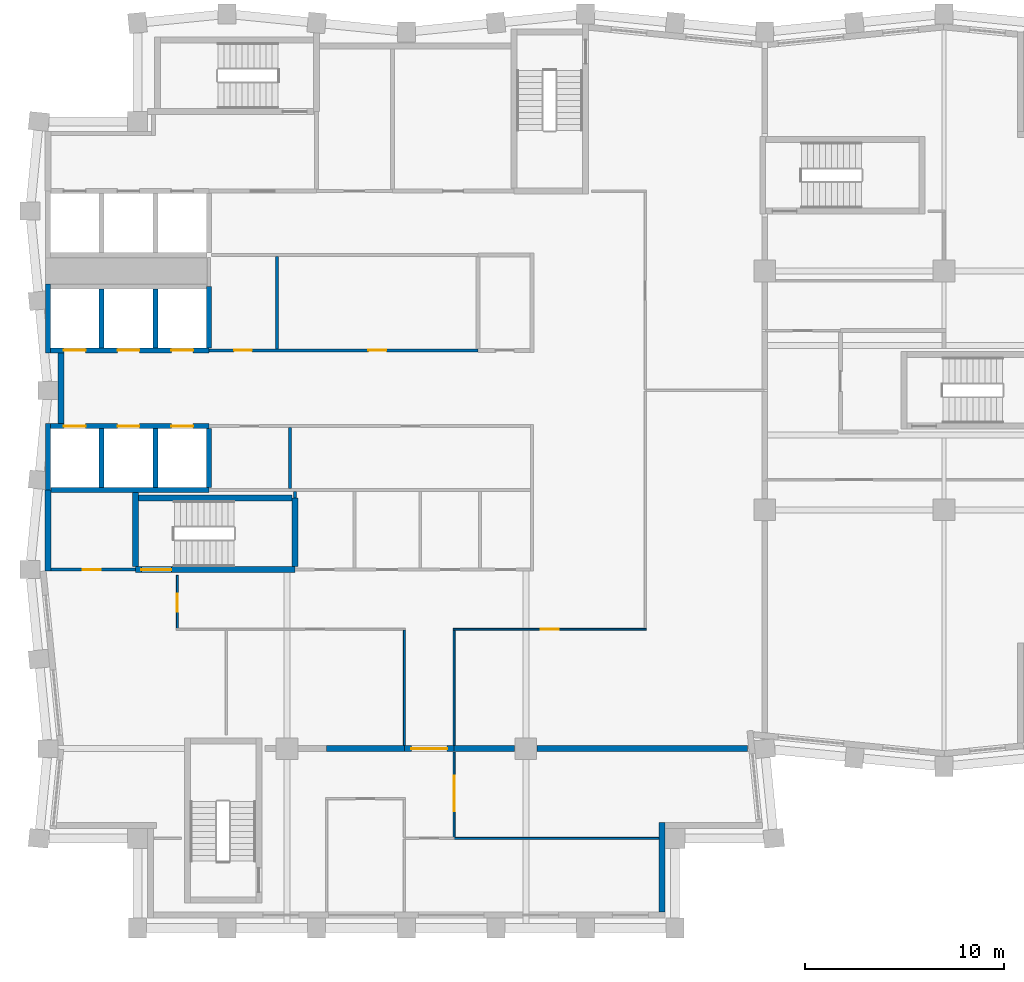
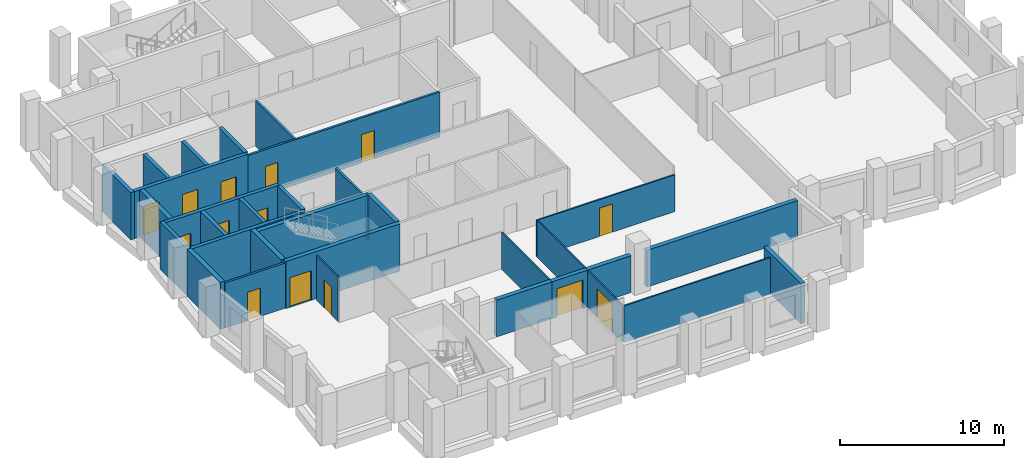
# One storey, part 3 of 8: 33 walls, 14 doors, 14 openings.
"""IFC4 building model written with IfcOpenShell, lengths in metres."""

from ifc_helpers import new_model, si_unit, direction, frame, frame_2d, origin, place, context, subcontext, project, spatial, rectangle, extrude, material, layer, layer_set, type_object, element, fill, save


model = new_model("IFC4")

# Units and contexts
model_context = context("Model", 3, precision=1e-05, world=origin(), true_north=direction((0.0, 1.0)))
body_context = subcontext(model_context, "Body", "Model", "MODEL_VIEW")
ifc_project = project(units=[si_unit("LENGTHUNIT", "METRE"), si_unit("AREAUNIT", "SQUARE_METRE"), si_unit("VOLUMEUNIT", "CUBIC_METRE"), si_unit("PLANEANGLEUNIT", "RADIAN"), si_unit("MASSUNIT", "GRAM", prefix="KILO")], contexts=[model_context])

# Site, building, storey
site_placement = place(None, origin())
site = spatial("IfcSite", under=ifc_project, at=site_placement, CompositionType="ELEMENT")
building_placement = place(site_placement, origin())
building = spatial("IfcBuilding", under=site, at=building_placement, Name="Brondeck Convention Tower", CompositionType="ELEMENT")
storey_placement = place(building_placement, frame((0.0, 0.0, 244.39990234375)))
storey = spatial("IfcBuildingStorey", under=building, at=storey_placement, Name="L60", CompositionType="ELEMENT", Elevation=244.39990234375)

# Wall
ifc_material_1 = material(Name="Concrete compartment wall C30/37", Category="concrete")
ifc_layer_1 = layer(ifc_material_1, 0.300048828125)
ifc_layer_set_1 = layer_set([ifc_layer_1], Name="Compartment wall 300")
wall_type_1 = type_object("IfcWallType", Name="Compartment wall 300", PredefinedType="PARTITIONING", material=ifc_layer_set_1)
wall_1_placement = place(storey_placement, frame((14.0, 27.0, 0.0), z_axis=(0.0, 0.0, 1.0), x_axis=(1.0, 0.0, 0.0)))
element("IfcWall", 1, at=wall_1_placement, inside=storey, type_object=wall_type_1, Name="FLR-L60-W015", PredefinedType="PARTITIONING", context=body_context, shape_type="SweptSolid", body=[
    extrude(rectangle(XDim=3.89990234375, YDim=0.300048828125, at=frame_2d((1.949951171875, 0.0))), origin(), (0.0, 0.0, 1.0), 2.72998046875),
])

# Wall, opening, door
wall_2_placement = place(storey_placement, frame((20.39990234375, 27.0, 0.0), z_axis=(0.0, 0.0, 1.0), x_axis=(-1.0, 0.0, 0.0)))
wall_2 = element("IfcWall", 2, at=wall_2_placement, inside=storey, type_object=wall_type_1, Name="FLR-L60-W016", PredefinedType="PARTITIONING", context=body_context, shape_type="SweptSolid", body=[
    extrude(rectangle(XDim=2.5, YDim=0.300048828125, at=frame_2d((1.25, 0.0))), origin(), (0.0, 0.0, 1.0), 2.72998046875),
])
opening_1_placement = place(wall_2_placement, frame((0.35009765625, 0.0, 0.0)))
opening_1 = element("IfcOpeningElement", 3, at=opening_1_placement, cuts=wall_2, Name="Opening OF-O-012", PredefinedType="OPENING", context=body_context, shape_type="SweptSolid", body=[
    extrude(rectangle(XDim=1.800048828125, YDim=2.10009765625, at=frame_2d((0.89990234375, 1.050048828125))), frame((0.0, 0.159912109375, 0.0), z_axis=(0.0, -1.0, 0.0), x_axis=(1.0, 0.0, 0.0)), (0.0, 0.0, 1.0), 0.320068359375),
])
ifc_material_2 = material(Name="Steel fire door pair", Category="steel")
door_type_1 = type_object("IfcDoorType", Name="Fire door pair 1800", OperationType="DOUBLE_DOOR_SINGLE_SWING", PredefinedType="DOOR", material=ifc_material_2)
door_1_placement = place(opening_1_placement, origin())
door_1 = element("IfcDoor", 4, at=door_1_placement, inside=storey, type_object=door_type_1, Name="Door OF-O-012", OperationType="DOUBLE_DOOR_SINGLE_SWING", OverallHeight=2.10009765625, OverallWidth=1.800048828125, PredefinedType="DOOR", context=body_context, shape_type="SweptSolid", body=[
    extrude(rectangle(XDim=1.800048828125, YDim=2.10009765625, at=frame_2d((0.89990234375, 1.050048828125))), frame((0.0, 0.02490234375, 0.0), z_axis=(0.0, -1.0, 0.0), x_axis=(1.0, 0.0, 0.0)), (0.0, 0.0, 1.0), 0.050048828125),
])
fill(opening_1, door_1)

# Walls
wall_3_placement = place(storey_placement, frame((20.39990234375, 27.0, 0.0), z_axis=(0.0, 0.0, 1.0), x_axis=(1.0, 0.0, 0.0)))
element("IfcWall", 5, at=wall_3_placement, inside=storey, type_object=wall_type_1, Name="FLR-L60-W017", PredefinedType="PARTITIONING", context=body_context, shape_type="SweptSolid", body=[
    extrude(rectangle(XDim=3.045166015625, YDim=0.300048828125, at=frame_2d((1.5224609375, 0.0))), origin(), (0.0, 0.0, 1.0), 2.72998046875),
])
wall_4_placement = place(storey_placement, frame((24.554931640625, 27.0, 0.0), z_axis=(0.0, 0.0, 1.0), x_axis=(1.0, 0.0, 0.0)))
element("IfcWall", 6, at=wall_4_placement, inside=storey, type_object=wall_type_1, Name="FLR-L60-W018", PredefinedType="PARTITIONING", context=body_context, shape_type="SweptSolid", body=[
    extrude(rectangle(XDim=10.591064453125, YDim=0.300048828125, at=frame_2d((5.29541015625, 0.0))), origin(), (0.0, 0.0, 1.0), 2.72998046875),
])
ifc_material_3 = material(Name="Concrete C50/60", Category="concrete")
ifc_layer_2 = layer(ifc_material_3, 0.300048828125)
ifc_layer_set_2 = layer_set([ifc_layer_2], Name="Core outer wall 300 Concrete C50/60")
wall_type_2 = type_object("IfcWallType", Name="Core outer wall 300 Concrete C50/60", PredefinedType="SHEAR", material=ifc_layer_set_2)
wall_5_placement = place(storey_placement, frame((0.0, 35.925048828125, 0.0), z_axis=(0.0, 0.0, 1.0), x_axis=(0.0, 1.0, 0.0)))
element("IfcWall", 7, at=wall_5_placement, inside=storey, type_object=wall_type_2, Name="L60 core wall", PredefinedType="SHEAR", context=body_context, shape_type="SweptSolid", body=[
    extrude(rectangle(XDim=4.074951171875, YDim=0.300048828125, at=frame_2d((2.03759765625, 0.0))), origin(), (0.0, 0.0, 1.0), 3.5),
])
wall_6_placement = place(storey_placement, frame((0.64990234375, 43.324951171875, 0.0), z_axis=(0.0, 0.0, 1.0), x_axis=(0.0, 1.0, 0.0)))
element("IfcWall", 8, at=wall_6_placement, inside=storey, type_object=wall_type_2, Name="L60 core wall", PredefinedType="SHEAR", context=body_context, shape_type="SweptSolid", body=[
    extrude(rectangle(XDim=3.550048828125, YDim=0.300048828125, at=frame_2d((1.77490234375, 0.0))), origin(), (0.0, 0.0, 1.0), 3.5),
])

# Wall, opening, door
ifc_material_4 = material(Name="Fire-rated gypsum board partition")
ifc_layer_3 = layer(ifc_material_4, 0.14990234375)
ifc_layer_set_3 = layer_set([ifc_layer_3], Name="Core partition 150 EI 60")
wall_type_3 = type_object("IfcWallType", Name="Core partition 150 EI 60", PredefinedType="PARTITIONING", material=ifc_layer_set_3)
wall_7_placement = place(storey_placement, frame((0.14990234375, 36.0, 0.0), z_axis=(0.0, 0.0, 1.0), x_axis=(1.0, 0.0, 0.0)))
wall_7 = element("IfcWall", 9, at=wall_7_placement, inside=storey, type_object=wall_type_3, Name="L60 core wall", PredefinedType="PARTITIONING", context=body_context, shape_type="SweptSolid", body=[
    extrude(rectangle(XDim=4.25, YDim=0.14990234375, at=frame_2d((2.125, 0.0))), origin(), (0.0, 0.0, 1.0), 3.35009765625),
])
opening_2_placement = place(wall_7_placement, frame((1.60009765625, 0.0, 0.0)))
opening_2 = element("IfcOpeningElement", 10, at=opening_2_placement, cuts=wall_7, Name="Opening C32-07", PredefinedType="OPENING", context=body_context, shape_type="SweptSolid", body=[
    extrude(rectangle(XDim=0.89990234375, YDim=2.10009765625, at=frame_2d((0.449951171875, 1.050048828125))), frame((0.0, 0.0849609375, 0.0), z_axis=(0.0, -1.0, 0.0), x_axis=(1.0, 0.0, 0.0)), (0.0, 0.0, 1.0), 0.169921875),
])
ifc_material_5 = material(Name="Steel fire door", Category="steel")
door_type_2 = type_object("IfcDoorType", Name="Room door 900x2100 EI 60", OperationType="NOTDEFINED", PredefinedType="DOOR", material=ifc_material_5)
door_2_placement = place(opening_2_placement, origin())
door_2 = element("IfcDoor", 11, at=door_2_placement, inside=storey, type_object=door_type_2, Name="L60 Room door FRW-1", OperationType="SINGLE_SWING_LEFT", OverallHeight=2.10009765625, OverallWidth=0.89990234375, PredefinedType="DOOR", context=body_context, shape_type="SweptSolid", body=[
    extrude(rectangle(XDim=0.89990234375, YDim=2.10009765625, at=frame_2d((0.449951171875, 1.050048828125))), frame((0.0, 0.02490234375, 0.0), z_axis=(0.0, -1.0, 0.0), x_axis=(1.0, 0.0, 0.0)), (0.0, 0.0, 1.0), 0.050048828125),
])
fill(opening_2, door_2)

# Wall, openings, doors
wall_8_placement = place(storey_placement, frame((8.10009765625, 47.0, 0.0), z_axis=(0.0, 0.0, 1.0), x_axis=(1.0, 0.0, 0.0)))
wall_8 = element("IfcWall", 12, at=wall_8_placement, inside=storey, type_object=wall_type_3, Name="L60 core wall", PredefinedType="PARTITIONING", context=body_context, shape_type="SweptSolid", body=[
    extrude(rectangle(XDim=13.5, YDim=0.14990234375, at=frame_2d((6.75, 0.0))), origin(), (0.0, 0.0, 1.0), 3.35009765625),
])
opening_3_placement = place(wall_8_placement, frame((1.25, 0.0, 0.0)))
opening_3 = element("IfcOpeningElement", 13, at=opening_3_placement, cuts=wall_8, Name="Opening C32-08", PredefinedType="OPENING", context=body_context, shape_type="SweptSolid", body=[
    extrude(rectangle(XDim=0.89990234375, YDim=2.10009765625, at=frame_2d((0.449951171875, 1.050048828125))), frame((0.0, 0.0849609375, 0.0), z_axis=(0.0, -1.0, 0.0), x_axis=(1.0, 0.0, 0.0)), (0.0, 0.0, 1.0), 0.169921875),
])
opening_4_placement = place(wall_8_placement, frame((8.0, 0.0, 0.0)))
opening_4 = element("IfcOpeningElement", 14, at=opening_4_placement, cuts=wall_8, Name="Opening C32-09", PredefinedType="OPENING", context=body_context, shape_type="SweptSolid", body=[
    extrude(rectangle(XDim=0.89990234375, YDim=2.10009765625, at=frame_2d((0.449951171875, 1.050048828125))), frame((0.0, 0.0849609375, 0.0), z_axis=(0.0, -1.0, 0.0), x_axis=(1.0, 0.0, 0.0)), (0.0, 0.0, 1.0), 0.169921875),
])
door_3_placement = place(opening_3_placement, origin())
door_3 = element("IfcDoor", 15, at=door_3_placement, inside=storey, type_object=door_type_2, Name="L60 Room door FZ-N-8.1-1", OperationType="SINGLE_SWING_LEFT", OverallHeight=2.10009765625, OverallWidth=0.89990234375, PredefinedType="DOOR", context=body_context, shape_type="SweptSolid", body=[
    extrude(rectangle(XDim=0.89990234375, YDim=2.10009765625, at=frame_2d((0.449951171875, 1.050048828125))), frame((0.0, 0.02490234375, 0.0), z_axis=(0.0, -1.0, 0.0), x_axis=(1.0, 0.0, 0.0)), (0.0, 0.0, 1.0), 0.050048828125),
])
fill(opening_3, door_3)
door_4_placement = place(opening_4_placement, origin())
door_4 = element("IfcDoor", 16, at=door_4_placement, inside=storey, type_object=door_type_2, Name="L60 Room door FZ-N-8.1-2", OperationType="SINGLE_SWING_RIGHT", OverallHeight=2.10009765625, OverallWidth=0.89990234375, PredefinedType="DOOR", context=body_context, shape_type="SweptSolid", body=[
    extrude(rectangle(XDim=0.89990234375, YDim=2.10009765625, at=frame_2d((0.449951171875, 1.050048828125))), frame((0.0, 0.02490234375, 0.0), z_axis=(0.0, -1.0, 0.0), x_axis=(1.0, 0.0, 0.0)), (0.0, 0.0, 1.0), 0.050048828125),
])
fill(opening_4, door_4)

# Walls
wall_9_placement = place(storey_placement, frame((11.5, 47.074951171875, 0.0), z_axis=(0.0, 0.0, 1.0), x_axis=(0.0, 1.0, 0.0)))
element("IfcWall", 17, at=wall_9_placement, inside=storey, type_object=wall_type_3, Name="L60 core wall", PredefinedType="PARTITIONING", context=body_context, shape_type="SweptSolid", body=[
    extrude(rectangle(XDim=4.650146484375, YDim=0.14990234375, at=frame_2d((2.3251953125, 0.0))), origin(), (0.0, 0.0, 1.0), 3.35009765625),
])
wall_10_placement = place(storey_placement, frame((12.14990234375, 40.074951171875, 0.0), z_axis=(0.0, 0.0, 1.0), x_axis=(0.0, 1.0, 0.0)))
element("IfcWall", 18, at=wall_10_placement, inside=storey, type_object=wall_type_3, Name="L60 core wall", PredefinedType="PARTITIONING", context=body_context, shape_type="SweptSolid", body=[
    extrude(rectangle(XDim=3.050048828125, YDim=0.14990234375, at=frame_2d((1.52490234375, 0.0))), origin(), (0.0, 0.0, 1.0), 3.35009765625),
])
wall_11_placement = place(storey_placement, frame((12.39990234375, 39.60009765625, 0.0), z_axis=(0.0, 0.0, 1.0), x_axis=(0.0, 1.0, 0.0)))
element("IfcWall", 19, at=wall_11_placement, inside=storey, type_object=wall_type_3, Name="L60 core wall", PredefinedType="PARTITIONING", context=body_context, shape_type="SweptSolid", body=[
    extrude(rectangle(XDim=0.324951171875, YDim=0.14990234375, at=frame_2d((0.16259765625, 0.0))), origin(), (0.0, 0.0, 1.0), 3.35009765625),
])
ifc_material_6 = material(Name="Precast concrete C50/60 bronze finish", Category="concrete")
ifc_layer_4 = layer(ifc_material_6, 0.070068359375, Name="Bronze precast facing")
ifc_material_7 = material(Name="Mineral wool")
ifc_layer_5 = layer(ifc_material_7, 0.159912109375, Name="Insulation")
ifc_material_8 = material(Name="Concrete C35/45", Category="concrete")
ifc_layer_6 = layer(ifc_material_8, 0.070068359375, Name="Backing")
ifc_layer_set_4 = layer_set([ifc_layer_4, ifc_layer_5, ifc_layer_6], Name="External infill wall, precast concrete C50/60 bronze facing")
wall_type_4 = type_object("IfcWallType", Name="External infill wall, precast concrete C50/60 bronze facing", PredefinedType="SOLIDWALL", material=ifc_layer_set_4)
wall_12_placement = place(storey_placement, frame((30.85009765625, 23.300048828125, 0.0), z_axis=(0.0, 0.0, 1.0), x_axis=(0.0, -1.0, 0.0)))
element("IfcWall", 20, at=wall_12_placement, inside=storey, type_object=wall_type_4, Name="ENV-EW-L60-P2-NC-SEB18-01", PredefinedType="SOLIDWALL", context=body_context, shape_type="SweptSolid", body=[
    extrude(rectangle(XDim=4.5, YDim=0.300048828125, at=frame_2d((2.25, 0.0))), origin(), (0.0, 0.0, 1.0), 3.0),
])
ifc_layer_7 = layer(ifc_material_3, 0.25)
ifc_layer_set_5 = layer_set([ifc_layer_7], Name="Lift shaft wall 250 Concrete C50/60")
wall_type_5 = type_object("IfcWallType", Name="Lift shaft wall 250 Concrete C50/60", PredefinedType="SHEAR", material=ifc_layer_set_5)
wall_13_placement = place(storey_placement, frame((0.14990234375, 40.0, 0.0), z_axis=(0.0, 0.0, 1.0), x_axis=(1.0, 0.0, 0.0)))
element("IfcWall", 21, at=wall_13_placement, inside=storey, type_object=wall_type_5, Name="L60 core wall", PredefinedType="SHEAR", context=body_context, shape_type="SweptSolid", body=[
    extrude(rectangle(XDim=7.9501953125, YDim=0.25, at=frame_2d((3.97509765625, 0.0))), origin(), (0.0, 0.0, 1.0), 3.5),
])

# Wall, openings, doors
wall_14_placement = place(storey_placement, frame((0.125, 43.199951171875, 0.0), z_axis=(0.0, 0.0, 1.0), x_axis=(1.0, 0.0, 0.0)))
wall_14 = element("IfcWall", 22, at=wall_14_placement, inside=storey, type_object=wall_type_5, Name="L60 core wall", PredefinedType="SHEAR", context=body_context, shape_type="SweptSolid", body=[
    extrude(rectangle(XDim=7.97509765625, YDim=0.25, at=frame_2d((3.987548828125, 0.0))), origin(), (0.0, 0.0, 1.0), 3.5),
])
opening_5_placement = place(wall_14_placement, frame((0.675048828125, 0.0, 0.0)))
opening_5 = element("IfcOpeningElement", 23, at=opening_5_placement, cuts=wall_14, Name="Opening C32-23", PredefinedType="OPENING", context=body_context, shape_type="SweptSolid", body=[
    extrude(rectangle(XDim=1.10009765625, YDim=2.10009765625, at=frame_2d((0.550048828125, 1.050048828125))), frame((0.0, 0.135009765625, 0.0), z_axis=(0.0, -1.0, 0.0), x_axis=(1.0, 0.0, 0.0)), (0.0, 0.0, 1.0), 0.27001953125),
])
opening_6_placement = place(wall_14_placement, frame((3.375, 0.0, 0.0)))
opening_6 = element("IfcOpeningElement", 24, at=opening_6_placement, cuts=wall_14, Name="Opening C32-24", PredefinedType="OPENING", context=body_context, shape_type="SweptSolid", body=[
    extrude(rectangle(XDim=1.10009765625, YDim=2.10009765625, at=frame_2d((0.550048828125, 1.050048828125))), frame((0.0, 0.135009765625, 0.0), z_axis=(0.0, -1.0, 0.0), x_axis=(1.0, 0.0, 0.0)), (0.0, 0.0, 1.0), 0.27001953125),
])
opening_7_placement = place(wall_14_placement, frame((6.074951171875, 0.0, 0.0)))
opening_7 = element("IfcOpeningElement", 25, at=opening_7_placement, cuts=wall_14, Name="Opening C32-25", PredefinedType="OPENING", context=body_context, shape_type="SweptSolid", body=[
    extrude(rectangle(XDim=1.10009765625, YDim=2.10009765625, at=frame_2d((0.550048828125, 1.050048828125))), frame((0.0, 0.135009765625, 0.0), z_axis=(0.0, -1.0, 0.0), x_axis=(1.0, 0.0, 0.0)), (0.0, 0.0, 1.0), 0.27001953125),
])
ifc_material_9 = material(Name="Stainless steel lift door", Category="steel")
door_type_3 = type_object("IfcDoorType", Name="Lift landing door 1100x2100 EI 180", OperationType="DOUBLE_DOOR_SLIDING", PredefinedType="DOOR", material=ifc_material_9)
door_5_placement = place(opening_5_placement, origin())
door_5 = element("IfcDoor", 26, at=door_5_placement, inside=storey, type_object=door_type_3, Name="L60 Lift landing door HR1", OperationType="DOUBLE_DOOR_SLIDING", OverallHeight=2.10009765625, OverallWidth=1.10009765625, PredefinedType="DOOR", context=body_context, shape_type="SweptSolid", body=[
    extrude(rectangle(XDim=1.10009765625, YDim=2.10009765625, at=frame_2d((0.550048828125, 1.050048828125))), frame((0.0, 0.02490234375, 0.0), z_axis=(0.0, -1.0, 0.0), x_axis=(1.0, 0.0, 0.0)), (0.0, 0.0, 1.0), 0.050048828125),
])
fill(opening_5, door_5)
door_6_placement = place(opening_6_placement, origin())
door_6 = element("IfcDoor", 27, at=door_6_placement, inside=storey, type_object=door_type_3, Name="L60 Lift landing door HR2", OperationType="DOUBLE_DOOR_SLIDING", OverallHeight=2.10009765625, OverallWidth=1.10009765625, PredefinedType="DOOR", context=body_context, shape_type="SweptSolid", body=[
    extrude(rectangle(XDim=1.10009765625, YDim=2.10009765625, at=frame_2d((0.550048828125, 1.050048828125))), frame((0.0, 0.02490234375, 0.0), z_axis=(0.0, -1.0, 0.0), x_axis=(1.0, 0.0, 0.0)), (0.0, 0.0, 1.0), 0.050048828125),
])
fill(opening_6, door_6)
door_7_placement = place(opening_7_placement, origin())
door_7 = element("IfcDoor", 28, at=door_7_placement, inside=storey, type_object=door_type_3, Name="L60 Lift landing door HR3", OperationType="DOUBLE_DOOR_SLIDING", OverallHeight=2.10009765625, OverallWidth=1.10009765625, PredefinedType="DOOR", context=body_context, shape_type="SweptSolid", body=[
    extrude(rectangle(XDim=1.10009765625, YDim=2.10009765625, at=frame_2d((0.550048828125, 1.050048828125))), frame((0.0, 0.02490234375, 0.0), z_axis=(0.0, -1.0, 0.0), x_axis=(1.0, 0.0, 0.0)), (0.0, 0.0, 1.0), 0.050048828125),
])
fill(opening_7, door_7)

wall_15_placement = place(storey_placement, frame((0.125, 47.0, 0.0), z_axis=(0.0, 0.0, 1.0), x_axis=(1.0, 0.0, 0.0)))
wall_15 = element("IfcWall", 29, at=wall_15_placement, inside=storey, type_object=wall_type_5, Name="L60 core wall", PredefinedType="SHEAR", context=body_context, shape_type="SweptSolid", body=[
    extrude(rectangle(XDim=7.97509765625, YDim=0.25, at=frame_2d((3.987548828125, 0.0))), origin(), (0.0, 0.0, 1.0), 3.5),
])
opening_8_placement = place(wall_15_placement, frame((0.675048828125, 0.0, 0.0)))
opening_8 = element("IfcOpeningElement", 30, at=opening_8_placement, cuts=wall_15, Name="Opening C32-26", PredefinedType="OPENING", context=body_context, shape_type="SweptSolid", body=[
    extrude(rectangle(XDim=1.10009765625, YDim=2.10009765625, at=frame_2d((0.550048828125, 1.050048828125))), frame((0.0, 0.135009765625, 0.0), z_axis=(0.0, -1.0, 0.0), x_axis=(1.0, 0.0, 0.0)), (0.0, 0.0, 1.0), 0.27001953125),
])
opening_9_placement = place(wall_15_placement, frame((3.375, 0.0, 0.0)))
opening_9 = element("IfcOpeningElement", 31, at=opening_9_placement, cuts=wall_15, Name="Opening C32-27", PredefinedType="OPENING", context=body_context, shape_type="SweptSolid", body=[
    extrude(rectangle(XDim=1.10009765625, YDim=2.10009765625, at=frame_2d((0.550048828125, 1.050048828125))), frame((0.0, 0.135009765625, 0.0), z_axis=(0.0, -1.0, 0.0), x_axis=(1.0, 0.0, 0.0)), (0.0, 0.0, 1.0), 0.27001953125),
])
opening_10_placement = place(wall_15_placement, frame((6.074951171875, 0.0, 0.0)))
opening_10 = element("IfcOpeningElement", 32, at=opening_10_placement, cuts=wall_15, Name="Opening C32-28", PredefinedType="OPENING", context=body_context, shape_type="SweptSolid", body=[
    extrude(rectangle(XDim=1.10009765625, YDim=2.10009765625, at=frame_2d((0.550048828125, 1.050048828125))), frame((0.0, 0.135009765625, 0.0), z_axis=(0.0, -1.0, 0.0), x_axis=(1.0, 0.0, 0.0)), (0.0, 0.0, 1.0), 0.27001953125),
])
door_8_placement = place(opening_8_placement, origin())
door_8 = element("IfcDoor", 33, at=door_8_placement, inside=storey, type_object=door_type_3, Name="L60 Lift landing door HR4", OperationType="DOUBLE_DOOR_SLIDING", OverallHeight=2.10009765625, OverallWidth=1.10009765625, PredefinedType="DOOR", context=body_context, shape_type="SweptSolid", body=[
    extrude(rectangle(XDim=1.10009765625, YDim=2.10009765625, at=frame_2d((0.550048828125, 1.050048828125))), frame((0.0, 0.02490234375, 0.0), z_axis=(0.0, -1.0, 0.0), x_axis=(1.0, 0.0, 0.0)), (0.0, 0.0, 1.0), 0.050048828125),
])
fill(opening_8, door_8)
door_9_placement = place(opening_9_placement, origin())
door_9 = element("IfcDoor", 34, at=door_9_placement, inside=storey, type_object=door_type_3, Name="L60 Lift landing door HR5", OperationType="DOUBLE_DOOR_SLIDING", OverallHeight=2.10009765625, OverallWidth=1.10009765625, PredefinedType="DOOR", context=body_context, shape_type="SweptSolid", body=[
    extrude(rectangle(XDim=1.10009765625, YDim=2.10009765625, at=frame_2d((0.550048828125, 1.050048828125))), frame((0.0, 0.02490234375, 0.0), z_axis=(0.0, -1.0, 0.0), x_axis=(1.0, 0.0, 0.0)), (0.0, 0.0, 1.0), 0.050048828125),
])
fill(opening_9, door_9)
door_10_placement = place(opening_10_placement, origin())
door_10 = element("IfcDoor", 35, at=door_10_placement, inside=storey, type_object=door_type_3, Name="L60 Lift landing door HR6", OperationType="DOUBLE_DOOR_SLIDING", OverallHeight=2.10009765625, OverallWidth=1.10009765625, PredefinedType="DOOR", context=body_context, shape_type="SweptSolid", body=[
    extrude(rectangle(XDim=1.10009765625, YDim=2.10009765625, at=frame_2d((0.550048828125, 1.050048828125))), frame((0.0, 0.02490234375, 0.0), z_axis=(0.0, -1.0, 0.0), x_axis=(1.0, 0.0, 0.0)), (0.0, 0.0, 1.0), 0.050048828125),
])
fill(opening_10, door_10)

# Walls
wall_16_placement = place(storey_placement, frame((0.0, 40.0, 0.0), z_axis=(0.0, 0.0, 1.0), x_axis=(0.0, 1.0, 0.0)))
element("IfcWall", 36, at=wall_16_placement, inside=storey, type_object=wall_type_5, Name="L60 core wall", PredefinedType="SHEAR", context=body_context, shape_type="SweptSolid", body=[
    extrude(rectangle(XDim=3.324951171875, YDim=0.25, at=frame_2d((1.66259765625, 0.0))), origin(), (0.0, 0.0, 1.0), 3.5),
])
wall_17_placement = place(storey_placement, frame((0.0, 46.875, 0.0), z_axis=(0.0, 0.0, 1.0), x_axis=(0.0, 1.0, 0.0)))
element("IfcWall", 37, at=wall_17_placement, inside=storey, type_object=wall_type_5, Name="L60 core wall", PredefinedType="SHEAR", context=body_context, shape_type="SweptSolid", body=[
    extrude(rectangle(XDim=3.47509765625, YDim=0.25, at=frame_2d((1.737548828125, 0.0))), origin(), (0.0, 0.0, 1.0), 3.5),
])
for number, where, z_axis, x_axis, name in (
    (38, (2.699951171875, 40.125, 0.0), (0.0, 0.0, 1.0), (0.0, 1.0, 0.0), "L60 core wall"),
    (39, (2.699951171875, 47.125, 0.0), (0.0, 0.0, 1.0), (0.0, 1.0, 0.0), "L60 core wall"),
    (40, (5.39990234375, 40.125, 0.0), (0.0, 0.0, 1.0), (0.0, 1.0, 0.0), "L60 core wall"),
    (41, (5.39990234375, 47.125, 0.0), (0.0, 0.0, 1.0), (0.0, 1.0, 0.0), "L60 core wall"),
    (42, (8.10009765625, 40.125, 0.0), (0.0, 0.0, 1.0), (0.0, 1.0, 0.0), "L60 core wall"),
):
    element("IfcWall", number, at=place(storey_placement, frame(where, z_axis=z_axis, x_axis=x_axis)), inside=storey, type_object=wall_type_5, Name=name, PredefinedType="SHEAR", context=body_context, shape_type="SweptSolid", body=[
        extrude(rectangle(XDim=2.949951171875, YDim=0.25, at=frame_2d((1.47509765625, 0.0))), origin(), (0.0, 0.0, 1.0), 3.5),
    ])
wall_18_placement = place(storey_placement, frame((8.10009765625, 47.125, 0.0), z_axis=(0.0, 0.0, 1.0), x_axis=(0.0, 1.0, 0.0)))
element("IfcWall", 43, at=wall_18_placement, inside=storey, type_object=wall_type_5, Name="L60 core wall", PredefinedType="SHEAR", context=body_context, shape_type="SweptSolid", body=[
    extrude(rectangle(XDim=3.074951171875, YDim=0.25, at=frame_2d((1.53759765625, 0.0))), origin(), (0.0, 0.0, 1.0), 3.5),
])
ifc_material_10 = material(Name="Gypsum board partition on steel studs", Category="steel")
ifc_layer_8 = layer(ifc_material_10, 0.10009765625)
ifc_layer_set_6 = layer_set([ifc_layer_8], Name="Room partition 100")
wall_type_6 = type_object("IfcWallType", Name="Room partition 100", PredefinedType="PARTITIONING", material=ifc_layer_set_6)
wall_19_placement = place(storey_placement, frame((20.39990234375, 22.5, 0.0), z_axis=(0.0, 0.0, 1.0), x_axis=(1.0, 0.0, 0.0)))
element("IfcWall", 44, at=wall_19_placement, inside=storey, type_object=wall_type_6, Name="FLR-L60-W004", PredefinedType="PARTITIONING", context=body_context, shape_type="SweptSolid", body=[
    extrude(rectangle(XDim=10.280029296875, YDim=0.10009765625, at=frame_2d((5.14013671875, 0.0))), origin(), (0.0, 0.0, 1.0), 2.72998046875),
])

# Wall, opening, door
wall_20_placement = place(storey_placement, frame((20.39990234375, 26.830078125, 0.0), z_axis=(0.0, 0.0, 1.0), x_axis=(0.0, -1.0, 0.0)))
wall_20 = element("IfcWall", 45, at=wall_20_placement, inside=storey, type_object=wall_type_6, Name="FLR-L60-W011", PredefinedType="PARTITIONING", context=body_context, shape_type="SweptSolid", body=[
    extrude(rectangle(XDim=4.280029296875, YDim=0.10009765625, at=frame_2d((2.14013671875, 0.0))), origin(), (0.0, 0.0, 1.0), 2.72998046875),
])
opening_11_placement = place(wall_20_placement, frame((1.179931640625, 0.0, 0.0)))
opening_11 = element("IfcOpeningElement", 46, at=opening_11_placement, cuts=wall_20, Name="Opening OF-O-007", PredefinedType="OPENING", context=body_context, shape_type="SweptSolid", body=[
    extrude(rectangle(XDim=1.800048828125, YDim=2.10009765625, at=frame_2d((0.89990234375, 1.050048828125))), frame((0.0, 0.06005859375, 0.0), z_axis=(0.0, -1.0, 0.0), x_axis=(1.0, 0.0, 0.0)), (0.0, 0.0, 1.0), 0.1201171875),
])
ifc_material_11 = material(Name="Glazed timber double door", Category="wood")
door_type_4 = type_object("IfcDoorType", Name="Double door 1800", OperationType="DOUBLE_DOOR_SINGLE_SWING", PredefinedType="DOOR", material=ifc_material_11)
door_11_placement = place(opening_11_placement, origin())
door_11 = element("IfcDoor", 47, at=door_11_placement, inside=storey, type_object=door_type_4, Name="Door OF-O-007", OperationType="DOUBLE_DOOR_SINGLE_SWING", OverallHeight=2.10009765625, OverallWidth=1.800048828125, PredefinedType="DOOR", context=body_context, shape_type="SweptSolid", body=[
    extrude(rectangle(XDim=1.800048828125, YDim=2.10009765625, at=frame_2d((0.89990234375, 1.050048828125))), frame((0.0, 0.02490234375, 0.0), z_axis=(0.0, -1.0, 0.0), x_axis=(1.0, 0.0, 0.0)), (0.0, 0.0, 1.0), 0.050048828125),
])
fill(opening_11, door_11)

# Walls
for number, where, z_axis, x_axis, name in (
    (48, (17.89990234375, 27.169921875, 0.0), (0.0, 0.0, 1.0), (0.0, 1.0, 0.0), "FLR-L60-W019"),
    (49, (20.39990234375, 32.949951171875, 0.0), (0.0, 0.0, 1.0), (0.0, -1.0, 0.0), "FLR-L60-W025"),
):
    element("IfcWall", number, at=place(storey_placement, frame(where, z_axis=z_axis, x_axis=x_axis)), inside=storey, type_object=wall_type_6, Name=name, PredefinedType="PARTITIONING", context=body_context, shape_type="SweptSolid", body=[
        extrude(rectangle(XDim=5.780029296875, YDim=0.10009765625, at=frame_2d((2.89013671875, 0.0))), origin(), (0.0, 0.0, 1.0), 2.72998046875),
    ])

# Wall, opening, door
wall_21_placement = place(storey_placement, frame((30.050048828125, 33.0, 0.0), z_axis=(0.0, 0.0, 1.0), x_axis=(-1.0, 0.0, 0.0)))
wall_21 = element("IfcWall", 50, at=wall_21_placement, inside=storey, type_object=wall_type_6, Name="FLR-L60-W028", PredefinedType="PARTITIONING", context=body_context, shape_type="SweptSolid", body=[
    extrude(rectangle(XDim=9.699951171875, YDim=0.10009765625, at=frame_2d((4.85009765625, 0.0))), origin(), (0.0, 0.0, 1.0), 2.72998046875),
])
opening_12_placement = place(wall_21_placement, frame((4.39990234375, 0.0, 0.0)))
opening_12 = element("IfcOpeningElement", 51, at=opening_12_placement, cuts=wall_21, Name="Opening OF-O-010", PredefinedType="OPENING", context=body_context, shape_type="SweptSolid", body=[
    extrude(rectangle(XDim=0.89990234375, YDim=2.10009765625, at=frame_2d((0.449951171875, 1.050048828125))), frame((0.0, 0.06005859375, 0.0), z_axis=(0.0, -1.0, 0.0), x_axis=(1.0, 0.0, 0.0)), (0.0, 0.0, 1.0), 0.1201171875),
])
ifc_material_12 = material(Name="Solid timber door leaf", Category="wood")
door_type_5 = type_object("IfcDoorType", Name="Single door 900", OperationType="NOTDEFINED", PredefinedType="DOOR", material=ifc_material_12)
door_12_placement = place(opening_12_placement, origin())
door_12 = element("IfcDoor", 52, at=door_12_placement, inside=storey, type_object=door_type_5, Name="Door OF-O-010", OperationType="SINGLE_SWING_LEFT", OverallHeight=2.10009765625, OverallWidth=0.89990234375, PredefinedType="DOOR", context=body_context, shape_type="SweptSolid", body=[
    extrude(rectangle(XDim=0.89990234375, YDim=2.10009765625, at=frame_2d((0.449951171875, 1.050048828125))), frame((0.0, 0.02490234375, 0.0), z_axis=(0.0, -1.0, 0.0), x_axis=(1.0, 0.0, 0.0)), (0.0, 0.0, 1.0), 0.050048828125),
])
fill(opening_12, door_12)

wall_22_placement = place(storey_placement, frame((6.5, 33.050048828125, 0.0), z_axis=(0.0, 0.0, 1.0), x_axis=(0.0, 1.0, 0.0)))
wall_22 = element("IfcWall", 53, at=wall_22_placement, inside=storey, type_object=wall_type_6, Name="FLR-L60-W029", PredefinedType="PARTITIONING", context=body_context, shape_type="SweptSolid", body=[
    extrude(rectangle(XDim=2.64990234375, YDim=0.10009765625, at=frame_2d((1.324951171875, 0.0))), origin(), (0.0, 0.0, 1.0), 3.330078125),
])
opening_13_placement = place(wall_22_placement, frame((0.824951171875, 0.0, 0.0)))
opening_13 = element("IfcOpeningElement", 54, at=opening_13_placement, cuts=wall_22, Name="Opening OF-O-008", PredefinedType="OPENING", context=body_context, shape_type="SweptSolid", body=[
    extrude(rectangle(XDim=0.89990234375, YDim=2.10009765625, at=frame_2d((0.449951171875, 1.050048828125))), frame((0.0, 0.06005859375, 0.0), z_axis=(0.0, -1.0, 0.0), x_axis=(1.0, 0.0, 0.0)), (0.0, 0.0, 1.0), 0.1201171875),
])
door_13_placement = place(opening_13_placement, origin())
door_13 = element("IfcDoor", 55, at=door_13_placement, inside=storey, type_object=door_type_5, Name="Door OF-O-008", OperationType="SINGLE_SWING_LEFT", OverallHeight=2.10009765625, OverallWidth=0.89990234375, PredefinedType="DOOR", context=body_context, shape_type="SweptSolid", body=[
    extrude(rectangle(XDim=0.89990234375, YDim=2.10009765625, at=frame_2d((0.449951171875, 1.050048828125))), frame((0.0, 0.02490234375, 0.0), z_axis=(0.0, -1.0, 0.0), x_axis=(1.0, 0.0, 0.0)), (0.0, 0.0, 1.0), 0.050048828125),
])
fill(opening_13, door_13)

ifc_layer_9 = layer(ifc_material_3, 0.300048828125)
ifc_layer_set_7 = layer_set([ifc_layer_9], Name="Stair enclosure wall 300 Concrete C50/60")
wall_type_7 = type_object("IfcWallType", Name="Stair enclosure wall 300 Concrete C50/60", PredefinedType="SHEAR", material=ifc_layer_set_7)
wall_23_placement = place(storey_placement, frame((4.39990234375, 36.0, 0.0), z_axis=(0.0, 0.0, 1.0), x_axis=(1.0, 0.0, 0.0)))
wall_23 = element("IfcWall", 56, at=wall_23_placement, inside=storey, type_object=wall_type_7, Name="L60 core wall", PredefinedType="SHEAR", context=body_context, shape_type="SweptSolid", body=[
    extrude(rectangle(XDim=8.0, YDim=0.300048828125, at=frame_2d((4.0, 0.0))), origin(), (0.0, 0.0, 1.0), 3.5),
])
opening_14_placement = place(wall_23_placement, frame((0.300048828125, 0.0, 0.0)))
opening_14 = element("IfcOpeningElement", 57, at=opening_14_placement, cuts=wall_23, Name="Opening C32-14", PredefinedType="OPENING", context=body_context, shape_type="SweptSolid", body=[
    extrude(rectangle(XDim=1.5, YDim=2.199951171875, at=frame_2d((0.75, 1.10009765625))), frame((0.0, 0.159912109375, 0.0), z_axis=(0.0, -1.0, 0.0), x_axis=(1.0, 0.0, 0.0)), (0.0, 0.0, 1.0), 0.320068359375),
])
door_type_6 = type_object("IfcDoorType", Name="Stair door 1500x2200 EI 90", OperationType="NOTDEFINED", PredefinedType="DOOR", material=ifc_material_5)
door_14_placement = place(opening_14_placement, origin())
door_14 = element("IfcDoor", 58, at=door_14_placement, inside=storey, type_object=door_type_6, Name="L60 Stair door ST-1", OperationType="SINGLE_SWING_RIGHT", OverallHeight=2.199951171875, OverallWidth=1.5, PredefinedType="DOOR", context=body_context, shape_type="SweptSolid", body=[
    extrude(rectangle(XDim=1.5, YDim=2.199951171875, at=frame_2d((0.75, 1.10009765625))), frame((0.0, 0.02490234375, 0.0), z_axis=(0.0, -1.0, 0.0), x_axis=(1.0, 0.0, 0.0)), (0.0, 0.0, 1.0), 0.050048828125),
])
fill(opening_14, door_14)

# Walls
wall_24_placement = place(storey_placement, frame((4.550048828125, 39.60009765625, 0.0), z_axis=(0.0, 0.0, 1.0), x_axis=(1.0, 0.0, 0.0)))
element("IfcWall", 59, at=wall_24_placement, inside=storey, type_object=wall_type_7, Name="L60 core wall", PredefinedType="SHEAR", context=body_context, shape_type="SweptSolid", body=[
    extrude(rectangle(XDim=7.699951171875, YDim=0.300048828125, at=frame_2d((3.85009765625, 0.0))), origin(), (0.0, 0.0, 1.0), 3.5),
])
wall_25_placement = place(storey_placement, frame((4.39990234375, 36.14990234375, 0.0), z_axis=(0.0, 0.0, 1.0), x_axis=(0.0, 1.0, 0.0)))
element("IfcWall", 60, at=wall_25_placement, inside=storey, type_object=wall_type_7, Name="L60 core wall", PredefinedType="SHEAR", context=body_context, shape_type="SweptSolid", body=[
    extrude(rectangle(XDim=3.72509765625, YDim=0.300048828125, at=frame_2d((1.862548828125, 0.0))), origin(), (0.0, 0.0, 1.0), 3.5),
])
wall_26_placement = place(storey_placement, frame((12.39990234375, 36.14990234375, 0.0), z_axis=(0.0, 0.0, 1.0), x_axis=(0.0, 1.0, 0.0)))
element("IfcWall", 61, at=wall_26_placement, inside=storey, type_object=wall_type_7, Name="L60 core wall", PredefinedType="SHEAR", context=body_context, shape_type="SweptSolid", body=[
    extrude(rectangle(XDim=3.4501953125, YDim=0.300048828125, at=frame_2d((1.72509765625, 0.0))), origin(), (0.0, 0.0, 1.0), 3.5),
])

save(model, "model.ifc")
